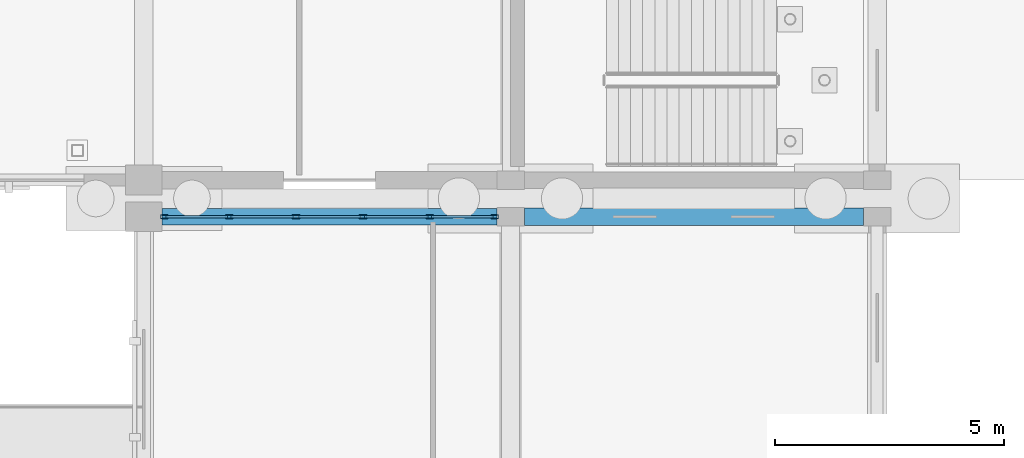
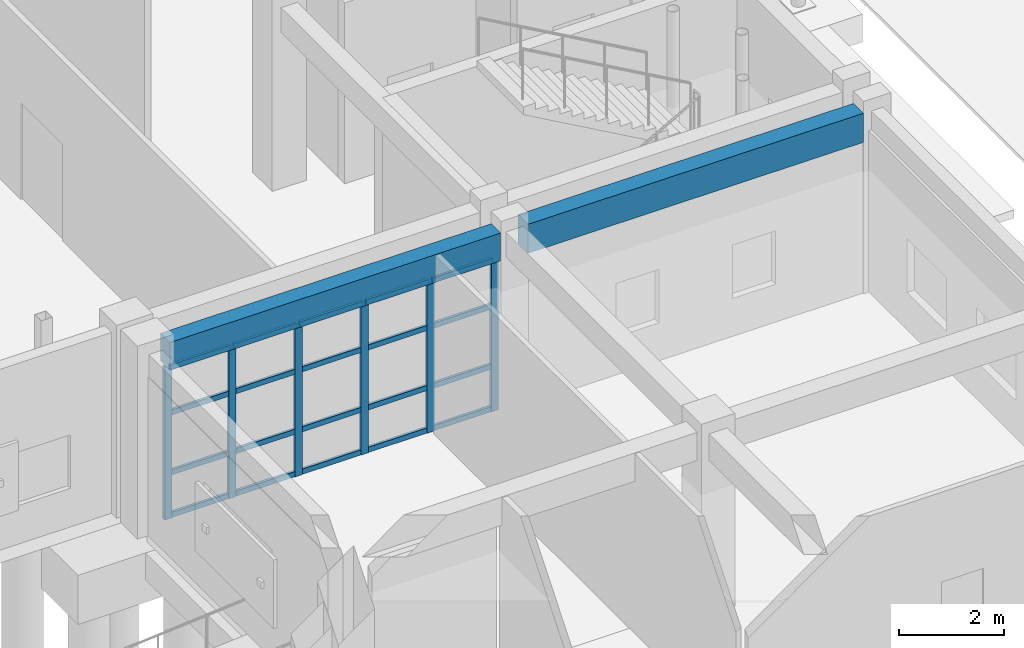
# One storey, part 53 of 166: 26 members, 2 beams, 1 element without a shape of its own.
"""IFC4 building model written with IfcOpenShell, lengths in metres."""

from ifc_helpers import new_model, si_unit, direction, frame, origin, origin_2d, place, context, subcontext, project, spatial, rectangle, hollow_rectangle, extrude, material, material_profile, profile_set, type_object, element, aggregate, save


model = new_model("IFC4")

# Units and contexts
model_context = context("Model", 3, precision=1e-05, world=origin(), true_north=direction((0.0, 1.0)))
body_context = subcontext(model_context, "Body", "Model", "MODEL_VIEW")
ifc_project = project(units=[si_unit("LENGTHUNIT", "METRE"), si_unit("AREAUNIT", "SQUARE_METRE"), si_unit("VOLUMEUNIT", "CUBIC_METRE"), si_unit("PLANEANGLEUNIT", "RADIAN"), si_unit("MASSUNIT", "GRAM", prefix="KILO")], contexts=[model_context])

# Site, building, storey
site_placement = place(None, origin())
site = spatial("IfcSite", under=ifc_project, at=site_placement, CompositionType="ELEMENT")
building_placement = place(site_placement, origin())
building = spatial("IfcBuilding", under=site, at=building_placement, Name="Kharva Crest Polytechnic", CompositionType="ELEMENT")
storey_placement = place(building_placement, origin())
storey = spatial("IfcBuildingStorey", under=building, at=storey_placement, Name="L00", CompositionType="ELEMENT", Elevation=0.0)

# Curtain wall, members
ifc_material_1 = material(Name="Tempered insulated glass", Category="glass")
curtain_wall_type = type_object("IfcCurtainWallType", Name="CW-SYS-COURT", PredefinedType="USERDEFINED", material=ifc_material_1)
curtain_wall_placement = place(storey_placement, origin())
curtain_wall = element("IfcCurtainWall", 1, at=curtain_wall_placement, inside=storey, type_object=curtain_wall_type, Name="L00 Glazed Curtain Wall CW-002", ObjectType="CURTAIN WALL", PredefinedType="USERDEFINED")
ifc_material_2 = material(Name="Steel S355", Category="steel")
ifc_material_profile_1 = material_profile(ifc_material_2, hollow_rectangle(XDim=0.080078125, YDim=0.159912109375, WallThickness=0.0048828125, at=origin_2d()), Name="RHS 160X80X5.0")
ifc_profile_set_1 = profile_set([ifc_material_profile_1], Name="Steel S355")
member_type_1 = type_object("IfcMemberType", Name="CWM-RHS160X80", PredefinedType="MULLION", material=ifc_profile_set_1)
member_1_placement = place(storey_placement, frame((39.655029296875, 38.0, 0.0), z_axis=(0.0, 0.0, 1.0), x_axis=(0.0, -1.0, 0.0)))
member_1 = element("IfcMember", 2, at=member_1_placement, type_object=member_type_1, Name="CW-002 mullion 1", PredefinedType="MULLION", context=body_context, shape_type="SweptSolid", body=[
    extrude(hollow_rectangle(XDim=0.080078125, YDim=0.159912109375, WallThickness=0.0048828125, at=origin_2d()), origin(), (0.0, 0.0, 1.0), 3.570068359375),
])
member_2_placement = place(storey_placement, frame((38.237060546875, 38.0, 0.0), z_axis=(0.0, 0.0, 1.0), x_axis=(0.0, -1.0, 0.0)))
member_2 = element("IfcMember", 3, at=member_2_placement, type_object=member_type_1, Name="CW-002 mullion 2", PredefinedType="MULLION", context=body_context, shape_type="SweptSolid", body=[
    extrude(hollow_rectangle(XDim=0.080078125, YDim=0.159912109375, WallThickness=0.0048828125, at=origin_2d()), origin(), (0.0, 0.0, 1.0), 3.570068359375),
])
member_3_placement = place(storey_placement, frame((36.779052734375, 38.0, 0.0), z_axis=(0.0, 0.0, 1.0), x_axis=(0.0, -1.0, 0.0)))
member_3 = element("IfcMember", 4, at=member_3_placement, type_object=member_type_1, Name="CW-002 mullion 3", PredefinedType="MULLION", context=body_context, shape_type="SweptSolid", body=[
    extrude(hollow_rectangle(XDim=0.080078125, YDim=0.159912109375, WallThickness=0.0048828125, at=origin_2d()), origin(), (0.0, 0.0, 1.0), 3.570068359375),
])
member_4_placement = place(storey_placement, frame((35.321044921875, 38.0, 0.0), z_axis=(0.0, 0.0, 1.0), x_axis=(0.0, -1.0, 0.0)))
member_4 = element("IfcMember", 5, at=member_4_placement, type_object=member_type_1, Name="CW-002 mullion 4", PredefinedType="MULLION", context=body_context, shape_type="SweptSolid", body=[
    extrude(hollow_rectangle(XDim=0.080078125, YDim=0.159912109375, WallThickness=0.0048828125, at=origin_2d()), origin(), (0.0, 0.0, 1.0), 3.570068359375),
])
member_5_placement = place(storey_placement, frame((33.863037109375, 38.0, 0.0), z_axis=(0.0, 0.0, 1.0), x_axis=(0.0, -1.0, 0.0)))
member_5 = element("IfcMember", 6, at=member_5_placement, type_object=member_type_1, Name="CW-002 mullion 5", PredefinedType="MULLION", context=body_context, shape_type="SweptSolid", body=[
    extrude(hollow_rectangle(XDim=0.080078125, YDim=0.159912109375, WallThickness=0.0048828125, at=origin_2d()), origin(), (0.0, 0.0, 1.0), 3.570068359375),
])
member_6_placement = place(storey_placement, frame((32.445068359375, 38.0, 0.0), z_axis=(0.0, 0.0, 1.0), x_axis=(0.0, -1.0, 0.0)))
member_6 = element("IfcMember", 7, at=member_6_placement, type_object=member_type_1, Name="CW-002 mullion 6", PredefinedType="MULLION", context=body_context, shape_type="SweptSolid", body=[
    extrude(hollow_rectangle(XDim=0.080078125, YDim=0.159912109375, WallThickness=0.0048828125, at=origin_2d()), origin(), (0.0, 0.0, 1.0), 3.570068359375),
])
ifc_material_profile_2 = material_profile(ifc_material_2, hollow_rectangle(XDim=0.06005859375, YDim=0.1201171875, WallThickness=0.00390625, at=origin_2d()), Name="RHS 120X60X4.0")
ifc_profile_set_2 = profile_set([ifc_material_profile_2], Name="Steel S355")
member_type_2 = type_object("IfcMemberType", Name="CWT-RHS120X60", PredefinedType="USERDEFINED", material=ifc_profile_set_2)
member_7_placement = place(storey_placement, frame((39.614990234375, 38.0, 0.06005859375), z_axis=(-1.0, 0.0, 0.0), x_axis=(0.0, -1.0, 0.0)))
member_7 = element("IfcMember", 8, at=member_7_placement, type_object=member_type_2, Name="CW-002 transom 1.1", ObjectType="TRANSOM", PredefinedType="USERDEFINED", context=body_context, shape_type="SweptSolid", body=[
    extrude(hollow_rectangle(XDim=0.06005859375, YDim=0.1201171875, WallThickness=0.00390625, at=origin_2d()), origin(), (0.0, 0.0, 1.0), 1.337890625),
])
member_8_placement = place(storey_placement, frame((39.614990234375, 38.0, 1.050048828125), z_axis=(-1.0, 0.0, 0.0), x_axis=(0.0, -1.0, 0.0)))
member_8 = element("IfcMember", 9, at=member_8_placement, type_object=member_type_2, Name="CW-002 transom 1.2", ObjectType="TRANSOM", PredefinedType="USERDEFINED", context=body_context, shape_type="SweptSolid", body=[
    extrude(hollow_rectangle(XDim=0.06005859375, YDim=0.1201171875, WallThickness=0.00390625, at=origin_2d()), origin(), (0.0, 0.0, 1.0), 1.337890625),
])
member_9_placement = place(storey_placement, frame((39.614990234375, 38.0, 2.449951171875), z_axis=(-1.0, 0.0, 0.0), x_axis=(0.0, -1.0, 0.0)))
member_9 = element("IfcMember", 10, at=member_9_placement, type_object=member_type_2, Name="CW-002 transom 1.3", ObjectType="TRANSOM", PredefinedType="USERDEFINED", context=body_context, shape_type="SweptSolid", body=[
    extrude(hollow_rectangle(XDim=0.06005859375, YDim=0.1201171875, WallThickness=0.00390625, at=origin_2d()), origin(), (0.0, 0.0, 1.0), 1.337890625),
])
member_10_placement = place(storey_placement, frame((39.614990234375, 38.0, 3.510009765625), z_axis=(-1.0, 0.0, 0.0), x_axis=(0.0, -1.0, 0.0)))
member_10 = element("IfcMember", 11, at=member_10_placement, type_object=member_type_2, Name="CW-002 transom 1.4", ObjectType="TRANSOM", PredefinedType="USERDEFINED", context=body_context, shape_type="SweptSolid", body=[
    extrude(hollow_rectangle(XDim=0.06005859375, YDim=0.1201171875, WallThickness=0.00390625, at=origin_2d()), origin(), (0.0, 0.0, 1.0), 1.337890625),
])
member_11_placement = place(storey_placement, frame((38.197021484375, 38.0, 0.06005859375), z_axis=(-1.0, 0.0, 0.0), x_axis=(0.0, -1.0, 0.0)))
member_11 = element("IfcMember", 12, at=member_11_placement, type_object=member_type_2, Name="CW-002 transom 2.1", ObjectType="TRANSOM", PredefinedType="USERDEFINED", context=body_context, shape_type="SweptSolid", body=[
    extrude(hollow_rectangle(XDim=0.06005859375, YDim=0.1201171875, WallThickness=0.00390625, at=origin_2d()), origin(), (0.0, 0.0, 1.0), 1.3779296875),
])
member_12_placement = place(storey_placement, frame((38.197021484375, 38.0, 1.050048828125), z_axis=(-1.0, 0.0, 0.0), x_axis=(0.0, -1.0, 0.0)))
member_12 = element("IfcMember", 13, at=member_12_placement, type_object=member_type_2, Name="CW-002 transom 2.2", ObjectType="TRANSOM", PredefinedType="USERDEFINED", context=body_context, shape_type="SweptSolid", body=[
    extrude(hollow_rectangle(XDim=0.06005859375, YDim=0.1201171875, WallThickness=0.00390625, at=origin_2d()), origin(), (0.0, 0.0, 1.0), 1.3779296875),
])
member_13_placement = place(storey_placement, frame((38.197021484375, 38.0, 2.449951171875), z_axis=(-1.0, 0.0, 0.0), x_axis=(0.0, -1.0, 0.0)))
member_13 = element("IfcMember", 14, at=member_13_placement, type_object=member_type_2, Name="CW-002 transom 2.3", ObjectType="TRANSOM", PredefinedType="USERDEFINED", context=body_context, shape_type="SweptSolid", body=[
    extrude(hollow_rectangle(XDim=0.06005859375, YDim=0.1201171875, WallThickness=0.00390625, at=origin_2d()), origin(), (0.0, 0.0, 1.0), 1.3779296875),
])
member_14_placement = place(storey_placement, frame((38.197021484375, 38.0, 3.510009765625), z_axis=(-1.0, 0.0, 0.0), x_axis=(0.0, -1.0, 0.0)))
member_14 = element("IfcMember", 15, at=member_14_placement, type_object=member_type_2, Name="CW-002 transom 2.4", ObjectType="TRANSOM", PredefinedType="USERDEFINED", context=body_context, shape_type="SweptSolid", body=[
    extrude(hollow_rectangle(XDim=0.06005859375, YDim=0.1201171875, WallThickness=0.00390625, at=origin_2d()), origin(), (0.0, 0.0, 1.0), 1.3779296875),
])
member_15_placement = place(storey_placement, frame((36.739013671875, 38.0, 0.06005859375), z_axis=(-1.0, 0.0, 0.0), x_axis=(0.0, -1.0, 0.0)))
member_15 = element("IfcMember", 16, at=member_15_placement, type_object=member_type_2, Name="CW-002 transom 3.1", ObjectType="TRANSOM", PredefinedType="USERDEFINED", context=body_context, shape_type="SweptSolid", body=[
    extrude(hollow_rectangle(XDim=0.06005859375, YDim=0.1201171875, WallThickness=0.00390625, at=origin_2d()), origin(), (0.0, 0.0, 1.0), 1.3779296875),
])
member_16_placement = place(storey_placement, frame((36.739013671875, 38.0, 1.050048828125), z_axis=(-1.0, 0.0, 0.0), x_axis=(0.0, -1.0, 0.0)))
member_16 = element("IfcMember", 17, at=member_16_placement, type_object=member_type_2, Name="CW-002 transom 3.2", ObjectType="TRANSOM", PredefinedType="USERDEFINED", context=body_context, shape_type="SweptSolid", body=[
    extrude(hollow_rectangle(XDim=0.06005859375, YDim=0.1201171875, WallThickness=0.00390625, at=origin_2d()), origin(), (0.0, 0.0, 1.0), 1.3779296875),
])
member_17_placement = place(storey_placement, frame((36.739013671875, 38.0, 2.449951171875), z_axis=(-1.0, 0.0, 0.0), x_axis=(0.0, -1.0, 0.0)))
member_17 = element("IfcMember", 18, at=member_17_placement, type_object=member_type_2, Name="CW-002 transom 3.3", ObjectType="TRANSOM", PredefinedType="USERDEFINED", context=body_context, shape_type="SweptSolid", body=[
    extrude(hollow_rectangle(XDim=0.06005859375, YDim=0.1201171875, WallThickness=0.00390625, at=origin_2d()), origin(), (0.0, 0.0, 1.0), 1.3779296875),
])
member_18_placement = place(storey_placement, frame((36.739013671875, 38.0, 3.510009765625), z_axis=(-1.0, 0.0, 0.0), x_axis=(0.0, -1.0, 0.0)))
member_18 = element("IfcMember", 19, at=member_18_placement, type_object=member_type_2, Name="CW-002 transom 3.4", ObjectType="TRANSOM", PredefinedType="USERDEFINED", context=body_context, shape_type="SweptSolid", body=[
    extrude(hollow_rectangle(XDim=0.06005859375, YDim=0.1201171875, WallThickness=0.00390625, at=origin_2d()), origin(), (0.0, 0.0, 1.0), 1.3779296875),
])
member_19_placement = place(storey_placement, frame((35.281005859375, 38.0, 0.06005859375), z_axis=(-1.0, 0.0, 0.0), x_axis=(0.0, -1.0, 0.0)))
member_19 = element("IfcMember", 20, at=member_19_placement, type_object=member_type_2, Name="CW-002 transom 4.1", ObjectType="TRANSOM", PredefinedType="USERDEFINED", context=body_context, shape_type="SweptSolid", body=[
    extrude(hollow_rectangle(XDim=0.06005859375, YDim=0.1201171875, WallThickness=0.00390625, at=origin_2d()), origin(), (0.0, 0.0, 1.0), 1.3779296875),
])
member_20_placement = place(storey_placement, frame((35.281005859375, 38.0, 1.050048828125), z_axis=(-1.0, 0.0, 0.0), x_axis=(0.0, -1.0, 0.0)))
member_20 = element("IfcMember", 21, at=member_20_placement, type_object=member_type_2, Name="CW-002 transom 4.2", ObjectType="TRANSOM", PredefinedType="USERDEFINED", context=body_context, shape_type="SweptSolid", body=[
    extrude(hollow_rectangle(XDim=0.06005859375, YDim=0.1201171875, WallThickness=0.00390625, at=origin_2d()), origin(), (0.0, 0.0, 1.0), 1.3779296875),
])
member_21_placement = place(storey_placement, frame((35.281005859375, 38.0, 2.449951171875), z_axis=(-1.0, 0.0, 0.0), x_axis=(0.0, -1.0, 0.0)))
member_21 = element("IfcMember", 22, at=member_21_placement, type_object=member_type_2, Name="CW-002 transom 4.3", ObjectType="TRANSOM", PredefinedType="USERDEFINED", context=body_context, shape_type="SweptSolid", body=[
    extrude(hollow_rectangle(XDim=0.06005859375, YDim=0.1201171875, WallThickness=0.00390625, at=origin_2d()), origin(), (0.0, 0.0, 1.0), 1.3779296875),
])
member_22_placement = place(storey_placement, frame((35.281005859375, 38.0, 3.510009765625), z_axis=(-1.0, 0.0, 0.0), x_axis=(0.0, -1.0, 0.0)))
member_22 = element("IfcMember", 23, at=member_22_placement, type_object=member_type_2, Name="CW-002 transom 4.4", ObjectType="TRANSOM", PredefinedType="USERDEFINED", context=body_context, shape_type="SweptSolid", body=[
    extrude(hollow_rectangle(XDim=0.06005859375, YDim=0.1201171875, WallThickness=0.00390625, at=origin_2d()), origin(), (0.0, 0.0, 1.0), 1.3779296875),
])
member_23_placement = place(storey_placement, frame((33.822998046875, 38.0, 0.06005859375), z_axis=(-1.0, 0.0, 0.0), x_axis=(0.0, -1.0, 0.0)))
member_23 = element("IfcMember", 24, at=member_23_placement, type_object=member_type_2, Name="CW-002 transom 5.1", ObjectType="TRANSOM", PredefinedType="USERDEFINED", context=body_context, shape_type="SweptSolid", body=[
    extrude(hollow_rectangle(XDim=0.06005859375, YDim=0.1201171875, WallThickness=0.00390625, at=origin_2d()), origin(), (0.0, 0.0, 1.0), 1.337890625),
])
member_24_placement = place(storey_placement, frame((33.822998046875, 38.0, 1.050048828125), z_axis=(-1.0, 0.0, 0.0), x_axis=(0.0, -1.0, 0.0)))
member_24 = element("IfcMember", 25, at=member_24_placement, type_object=member_type_2, Name="CW-002 transom 5.2", ObjectType="TRANSOM", PredefinedType="USERDEFINED", context=body_context, shape_type="SweptSolid", body=[
    extrude(hollow_rectangle(XDim=0.06005859375, YDim=0.1201171875, WallThickness=0.00390625, at=origin_2d()), origin(), (0.0, 0.0, 1.0), 1.337890625),
])
member_25_placement = place(storey_placement, frame((33.822998046875, 38.0, 2.449951171875), z_axis=(-1.0, 0.0, 0.0), x_axis=(0.0, -1.0, 0.0)))
member_25 = element("IfcMember", 26, at=member_25_placement, type_object=member_type_2, Name="CW-002 transom 5.3", ObjectType="TRANSOM", PredefinedType="USERDEFINED", context=body_context, shape_type="SweptSolid", body=[
    extrude(hollow_rectangle(XDim=0.06005859375, YDim=0.1201171875, WallThickness=0.00390625, at=origin_2d()), origin(), (0.0, 0.0, 1.0), 1.337890625),
])
member_26_placement = place(storey_placement, frame((33.822998046875, 38.0, 3.510009765625), z_axis=(-1.0, 0.0, 0.0), x_axis=(0.0, -1.0, 0.0)))
member_26 = element("IfcMember", 27, at=member_26_placement, type_object=member_type_2, Name="CW-002 transom 5.4", ObjectType="TRANSOM", PredefinedType="USERDEFINED", context=body_context, shape_type="SweptSolid", body=[
    extrude(hollow_rectangle(XDim=0.06005859375, YDim=0.1201171875, WallThickness=0.00390625, at=origin_2d()), origin(), (0.0, 0.0, 1.0), 1.337890625),
])
aggregate(curtain_wall, [member_1, member_2, member_3, member_4, member_5, member_6, member_7, member_8, member_9, member_10, member_11, member_12, member_13, member_14, member_15, member_16, member_17, member_18, member_19, member_20, member_21, member_22, member_23, member_24, member_25, member_26])

# Beams
ifc_material_3 = material(Name="Concrete C35/45", Category="concrete")
ifc_material_profile_3 = material_profile(ifc_material_3, rectangle(XDim=0.360107421875, YDim=0.64990234375, at=origin_2d()), Name="RECT 360 X 650")
ifc_profile_set_3 = profile_set([ifc_material_profile_3], Name="Concrete C35/45")
beam_type_1 = type_object("IfcBeamType", Name="SP-RC-360X650", PredefinedType="SPANDREL", material=ifc_profile_set_3)
beam_1_placement = place(storey_placement, frame((32.39990234375, 38.0, 3.89501953125), z_axis=(1.0, 0.0, 0.0), x_axis=(0.0, 1.0, 0.0)))
element("IfcBeam", 28, at=beam_1_placement, inside=storey, type_object=beam_type_1, Name="L00 Beam F/5-6", PredefinedType="SPANDREL", context=body_context, shape_type="SweptSolid", body=[
    extrude(rectangle(XDim=0.360107421875, YDim=0.64990234375, at=origin_2d()), origin(), (0.0, 0.0, 1.0), 7.300048828125),
])
ifc_material_profile_4 = material_profile(ifc_material_3, rectangle(XDim=0.3798828125, YDim=0.679931640625, at=origin_2d()), Name="RECT 380 X 680")
ifc_profile_set_4 = profile_set([ifc_material_profile_4], Name="Concrete C35/45")
beam_type_2 = type_object("IfcBeamType", Name="SP-RC-380X680", PredefinedType="SPANDREL", material=ifc_profile_set_4)
beam_2_placement = place(storey_placement, frame((40.300048828125, 38.0, 3.8798828125), z_axis=(1.0, 0.0, 0.0), x_axis=(0.0, 1.0, 0.0)))
element("IfcBeam", 29, at=beam_2_placement, inside=storey, type_object=beam_type_2, Name="L00 Beam F/6-7", PredefinedType="SPANDREL", context=body_context, shape_type="SweptSolid", body=[
    extrude(rectangle(XDim=0.3798828125, YDim=0.679931640625, at=origin_2d()), origin(), (0.0, 0.0, 1.0), 7.39990234375),
])

save(model, "model.ifc")
